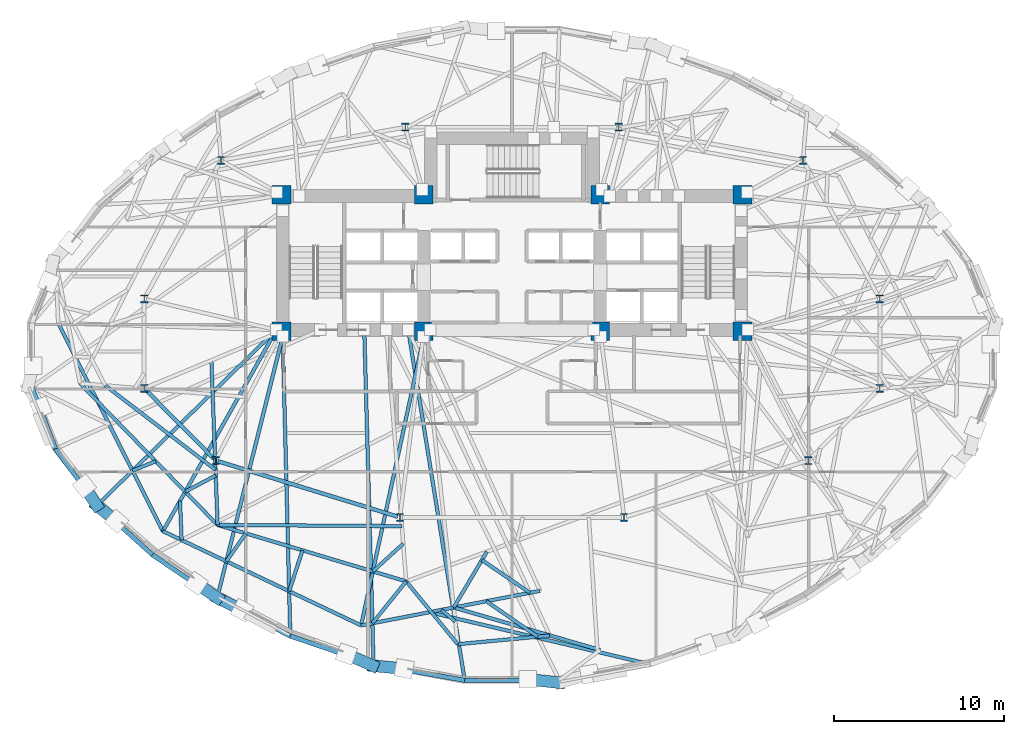
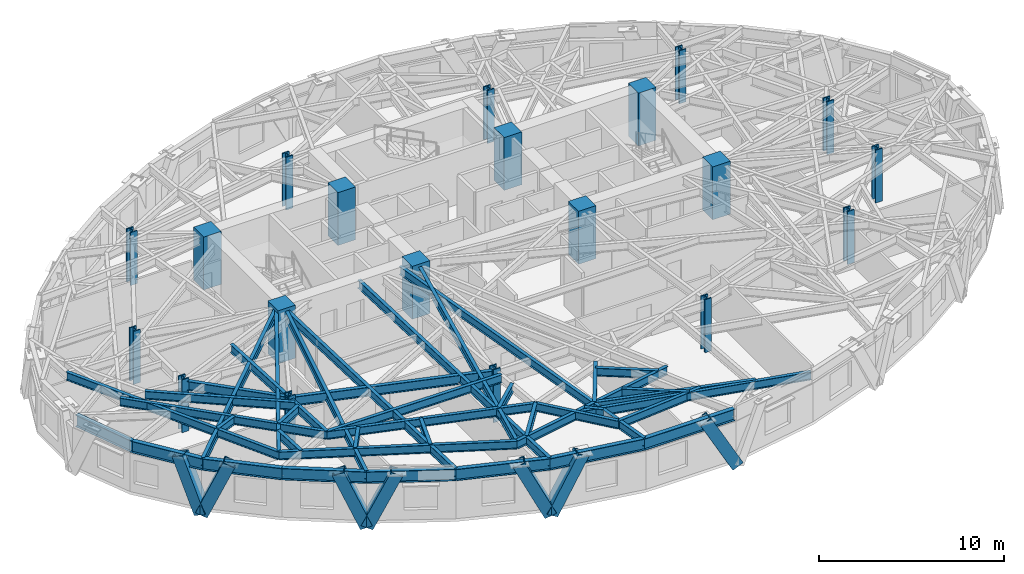
# One storey, part 1 of 15: 40 beams, 20 columns, 7 members.
"""IFC4 building model written with IfcOpenShell, lengths in metres."""

import ifcopenshell
import ifcopenshell.guid

model = None  # the IFC model being written
_history = None  # IfcOwnerHistory: only IFC2X3 demands one
_inside = {}  # id of a spatial element -> (the spatial element, [elements in it])
_under = {}  # id of a project, library or spatial element -> (it, [spatial elements below it])
_declared = {}  # id of a project -> (the project, [libraries it declares])
_typed = {}  # id of a type object -> (the type object, [elements of that type])
_made_of = {}  # id of a material, layer set ... -> (it, [elements and type objects made of it])


def new_model(schema):
    """Start an empty IFC model of exactly this schema.

    Asked for "IFC4X3", IfcOpenShell would pick the latest addendum, in which some entities
    have other attributes; the version numbers below select the first issue.
    IFC2X3 requires an IfcOwnerHistory on every rooted entity: one is made here for all.
    """
    global model, _history
    if schema == "IFC4X3":
        model = ifcopenshell.file(schema_version=(4, 3, 0, 0))
    else:
        model = ifcopenshell.file(schema=schema)
    _inside.clear()
    _under.clear()
    _declared.clear()
    _typed.clear()
    _made_of.clear()
    _history = None
    if model.schema == "IFC2X3":
        org = make("IfcOrganization", Name="unknown")
        user = make(
            "IfcPersonAndOrganization",
            ThePerson=make("IfcPerson", FamilyName="unknown"),
            TheOrganization=org,
        )
        app = make(
            "IfcApplication",
            ApplicationDeveloper=org,
            Version="unknown",
            ApplicationFullName="unknown",
            ApplicationIdentifier="unknown",
        )
        _history = make(
            "IfcOwnerHistory",
            OwningUser=user,
            OwningApplication=app,
            ChangeAction="ADDED",
            CreationDate=0,
        )
    return model


def make(cls, **values):
    """One entity of the class cls with the attributes given. An attribute that is None is left unset."""
    return model.create_entity(
        cls, **{name: value for name, value in values.items() if value is not None}
    )


def rooted(cls, **values):
    """An entity with a GlobalId (a new one), such as an element, a storey or a relation."""
    return make(cls, GlobalId=ifcopenshell.guid.new(), OwnerHistory=_history, **values)


def si_unit(unit_type, name, prefix=None):
    """IfcSIUnit, for example si_unit("LENGTHUNIT", "METRE", prefix="MILLI")."""
    return make("IfcSIUnit", UnitType=unit_type, Prefix=prefix, Name=name)


def assignment(units):
    """IfcUnitAssignment: the units of a project."""
    return None if units is None else make("IfcUnitAssignment", Units=units)


def point(xyz):
    """IfcCartesianPoint."""
    return None if xyz is None else make("IfcCartesianPoint", Coordinates=xyz)


def direction(xyz):
    """IfcDirection."""
    return None if xyz is None else make("IfcDirection", DirectionRatios=xyz)


def frame(location, z_axis=None, x_axis=None):
    """IfcAxis2Placement3D, a coordinate frame: its origin and axes. An axis left out is left unset."""
    return make(
        "IfcAxis2Placement3D",
        Location=point(location),
        Axis=direction(z_axis),
        RefDirection=direction(x_axis),
    )


def frame_2d(location, x_axis=None):
    """IfcAxis2Placement2D, a coordinate frame in the plane: its origin and x axis."""
    return make(
        "IfcAxis2Placement2D", Location=point(location), RefDirection=direction(x_axis)
    )


def origin():
    """The frame at (0, 0, 0) with its axes left unset."""
    return frame((0.0, 0.0, 0.0))


def origin_2d():
    """The frame at (0, 0) in the plane with its x axis left unset."""
    return frame_2d((0.0, 0.0))


def place(relative_to, where):
    """IfcLocalPlacement: puts the frame where relative to a parent placement (None: the world)."""
    return make(
        "IfcLocalPlacement", PlacementRelTo=relative_to, RelativePlacement=where
    )


def context(
    kind, dimensions, precision=None, world=None, true_north=None, identifier=None
):
    """IfcGeometricRepresentationContext, for example the 3D "Model" context."""
    return make(
        "IfcGeometricRepresentationContext",
        ContextIdentifier=identifier,
        ContextType=kind,
        CoordinateSpaceDimension=dimensions,
        Precision=precision,
        WorldCoordinateSystem=world,
        TrueNorth=true_north,
    )


def subcontext(parent, identifier, kind, view, scale=None):
    """IfcGeometricRepresentationSubContext, for example "Body" below "Model"."""
    return make(
        "IfcGeometricRepresentationSubContext",
        ContextIdentifier=identifier,
        ContextType=kind,
        ParentContext=parent,
        TargetScale=scale,
        TargetView=view,
    )


def project(units=None, contexts=None):
    """IfcProject with its units and contexts."""
    return rooted(
        "IfcProject",
        Name="project",
        RepresentationContexts=contexts,
        UnitsInContext=assignment(units),
    )


def spatial(cls, under=None, at=None, **own):
    """A site, building, storey or space (cls), placed at a placement, below another one or the project."""
    s = rooted(cls, ObjectPlacement=at, **own)
    if under is not None:
        _under.setdefault(under.id(), (under, []))[1].append(s)
    return s


def profile(cls, at=None, kind="AREA", **sizes):
    """A parametric profile (cls). Its sizes go by their IFC names, for example OverallWidth=200.0."""
    return make(cls, ProfileType=kind, Position=at, **sizes)


def rectangle(**sizes):
    """IfcRectangleProfileDef."""
    return profile("IfcRectangleProfileDef", **sizes)


def hollow_rectangle(**sizes):
    """IfcRectangleHollowProfileDef."""
    return profile("IfcRectangleHollowProfileDef", **sizes)


def i_section(**sizes):
    """IfcIShapeProfileDef."""
    return profile("IfcIShapeProfileDef", **sizes)


def extrude(swept, where, along, depth):
    """IfcExtrudedAreaSolid: the profile swept, set in the frame where, extruded along a direction by depth."""
    return make(
        "IfcExtrudedAreaSolid",
        SweptArea=swept,
        Position=where,
        ExtrudedDirection=direction(along),
        Depth=depth,
    )


def shape(context_of_items, identifier, shape_type, items):
    """IfcShapeRepresentation: the items that make up one representation, for example the "Body"."""
    return make(
        "IfcShapeRepresentation",
        ContextOfItems=context_of_items,
        RepresentationIdentifier=identifier,
        RepresentationType=shape_type,
        Items=items,
    )


def material(Name=None, Category=None):
    """IfcMaterial."""
    return make("IfcMaterial", Name=Name, Category=Category)


def material_profile(
    of_material, cross_section, Name=None, Category=None, Priority=None
):
    """IfcMaterialProfile: a cross section and its material."""
    return make(
        "IfcMaterialProfile",
        Name=Name,
        Material=of_material,
        Profile=cross_section,
        Priority=Priority,
        Category=Category,
    )


def profile_set(profiles, Name=None, composite=None):
    """IfcMaterialProfileSet."""
    return make(
        "IfcMaterialProfileSet",
        Name=Name,
        MaterialProfiles=profiles,
        CompositeProfile=composite,
    )


def made_of(thing, what):
    """Note that an element or type object is made of a material, layer set ...; save() writes the relation."""
    if what is not None:
        _made_of.setdefault(what.id(), (what, []))[1].append(thing)
    return thing


def type_object(cls, material=None, **own):
    """A type object (cls), such as IfcWallType, which elements share."""
    return made_of(rooted(cls, **own), material)


def element(
    cls,
    number,
    at=None,
    inside=None,
    cuts=None,
    type_object=None,
    material=None,
    context=None,
    identifier="Body",
    shape_type=None,
    held_by="IfcProductDefinitionShape",
    body=None,
    shapes=None,
    **own,
):
    """One element of the class cls, such as IfcWall. Its Tag is "e" and its number.

    at: its placement. inside: the storey or other place that contains it. cuts: it is an
    opening in that element (IfcRelVoidsElement). A single representation is given by context,
    identifier, shape_type and body (its items); several are given by shapes. held_by: the class
    of the entity that holds the representations. save() writes the other relations.
    """
    e = rooted(cls, Tag="e%d" % number, ObjectPlacement=at, **own)
    if body is not None:
        shapes = [shape(context, identifier, shape_type, body)]
    if shapes is not None:
        e.Representation = make(held_by, Representations=shapes)
    if inside is not None:
        _inside.setdefault(inside.id(), (inside, []))[1].append(e)
    if cuts is not None:
        rooted(
            "IfcRelVoidsElement", RelatingBuildingElement=cuts, RelatedOpeningElement=e
        )
    if type_object is not None:
        _typed.setdefault(type_object.id(), (type_object, []))[1].append(e)
    return made_of(e, material)


def aggregate(whole, parts):
    """IfcRelAggregates: a whole, such as a stair, and the parts it consists of."""
    return rooted("IfcRelAggregates", RelatingObject=whole, RelatedObjects=parts)


def save(model, path):
    """Write the relations noted so far, then the file.

    IfcRelAggregates (storeys below a building ...), IfcRelContainedInSpatialStructure (elements
    in a storey), IfcRelDefinesByType, IfcRelAssociatesMaterial and IfcRelDeclares: one each for
    every whole, place, type object, material and project.
    """
    for whole, parts in _under.values():
        aggregate(whole, parts)
    for where, things in _inside.values():
        rooted(
            "IfcRelContainedInSpatialStructure",
            RelatedElements=things,
            RelatingStructure=where,
        )
    for kind, things in _typed.values():
        rooted("IfcRelDefinesByType", RelatedObjects=things, RelatingType=kind)
    for what, things in _made_of.values():
        rooted("IfcRelAssociatesMaterial", RelatedObjects=things, RelatingMaterial=what)
    for by, libraries in _declared.values():
        rooted("IfcRelDeclares", RelatingContext=by, RelatedDefinitions=libraries)
    model.write(path)


model = new_model("IFC4")

# Units and contexts
model_context = context("Model", 3, precision=1e-05, world=origin(), true_north=direction((0.0, 1.0)))
body_context = subcontext(model_context, "Body", "Model", "MODEL_VIEW")
ifc_project = project(units=[si_unit("LENGTHUNIT", "METRE"), si_unit("AREAUNIT", "SQUARE_METRE"), si_unit("VOLUMEUNIT", "CUBIC_METRE"), si_unit("PLANEANGLEUNIT", "RADIAN"), si_unit("MASSUNIT", "GRAM", prefix="KILO")], contexts=[model_context])

# Site, building, storey
site_placement = place(None, origin())
site = spatial("IfcSite", under=ifc_project, at=site_placement, CompositionType="ELEMENT")
building_placement = place(site_placement, origin())
building = spatial("IfcBuilding", under=site, at=building_placement, Name="Keldmark Tower", CompositionType="ELEMENT")
storey_placement = place(building_placement, frame((0.0, 0.0, 93.10009765625)))
storey = spatial("IfcBuildingStorey", under=building, at=storey_placement, Name="L24", CompositionType="ELEMENT", Elevation=93.10009765625)

# Columns
ifc_material_1 = material(Name="Concrete C70/85", Category="concrete")
ifc_material_profile_1 = material_profile(ifc_material_1, rectangle(XDim=1.10009765625, YDim=1.10009765625, at=origin_2d()), Name="RC1100X1100")
ifc_profile_set_1 = profile_set([ifc_material_profile_1], Name="Concrete C70/85")
column_type_1 = type_object("IfcColumnType", Name="Core Boundary Column RC1100", PredefinedType="COLUMN", material=ifc_profile_set_1)
for number, where, z_axis, x_axis, name in (
    (1, (-13.60009765625, 1.39990234375, 0.0), (0.0, 0.0, 1.0), (1.0, 0.0, 0.0), "L24 Core Boundary Column CC-W1"),
    (2, (-13.60009765625, 9.449951171875, 0.0), (0.0, 0.0, 1.0), (1.0, 0.0, 0.0), "L24 Core Boundary Column CC-W2"),
    (3, (-5.199951171875, 1.39990234375, 0.0), (0.0, 0.0, 1.0), (1.0, 0.0, 0.0), "L24 Core Boundary Column CC-W3"),
    (4, (-5.199951171875, 9.449951171875, 0.0), (0.0, 0.0, 1.0), (1.0, 0.0, 0.0), "L24 Core Boundary Column CC-W4"),
    (5, (5.199951171875, 1.39990234375, 0.0), (0.0, 0.0, 1.0), (1.0, 0.0, 0.0), "L24 Core Boundary Column CC-E1"),
    (6, (5.199951171875, 9.449951171875, 0.0), (0.0, 0.0, 1.0), (1.0, 0.0, 0.0), "L24 Core Boundary Column CC-E2"),
    (7, (13.60009765625, 1.39990234375, 0.0), (0.0, 0.0, 1.0), (1.0, 0.0, 0.0), "L24 Core Boundary Column CC-E3"),
    (8, (13.60009765625, 9.449951171875, 0.0), (0.0, 0.0, 1.0), (1.0, 0.0, 0.0), "L24 Core Boundary Column CC-E4"),
):
    element("IfcColumn", number, at=place(storey_placement, frame(where, z_axis=z_axis, x_axis=x_axis)), inside=storey, type_object=column_type_1, Name=name, PredefinedType="COLUMN", context=body_context, shape_type="SweptSolid", body=[
        extrude(rectangle(XDim=1.10009765625, YDim=1.10009765625, at=origin_2d()), origin(), (0.0, 0.0, 1.0), 3.5),
    ])
ifc_material_2 = material(Name="Steel ASTM A992 Grade 50", Category="steel")
ifc_material_profile_2 = material_profile(ifc_material_2, i_section(OverallWidth=0.424072265625, OverallDepth=0.47412109375, WebThickness=0.047607421875, FlangeThickness=0.0771484375, at=origin_2d()), Name="W14X426")
ifc_profile_set_2 = profile_set([ifc_material_profile_2], Name="Steel ASTM A992 Grade 50")
column_type_2 = type_object("IfcColumnType", Name="Tower Gravity Column W14X426", PredefinedType="COLUMN", material=ifc_profile_set_2)
for number, where, z_axis, x_axis, name in (
    (9, (21.697021484375, 3.309814453125, 0.0), (0.0, 0.0, 1.0), (1.0, 0.0, 0.0), "L24 Tower Gravity Column TC-E1"),
    (10, (17.1669921875, 11.478271484375, 0.0), (0.0, 0.0, 1.0), (1.0, 0.0, 0.0), "L24 Tower Gravity Column TC-E4"),
    (11, (6.298828125, 13.4326171875, 0.0), (0.0, 0.0, 1.0), (1.0, 0.0, 0.0), "L24 Tower Gravity Column TC-N2"),
    (12, (-6.298828125, 13.4326171875, 0.0), (0.0, 0.0, 1.0), (1.0, 0.0, 0.0), "L24 Tower Gravity Column TC-N1"),
    (13, (-17.1669921875, 11.478271484375, 0.0), (0.0, 0.0, 1.0), (1.0, 0.0, 0.0), "L24 Tower Gravity Column TC-W4"),
    (14, (-21.697021484375, 3.309814453125, 0.0), (0.0, 0.0, 1.0), (1.0, 0.0, 0.0), "L24 Tower Gravity Column TC-W1"),
    (15, (-21.697021484375, -1.9658203125, 0.0), (0.0, 0.0, 1.0), (1.0, 0.0, 0.0), "L24 Tower Gravity Column TC-W5"),
    (16, (-17.477294921875, -6.2294921875, 0.0), (0.0, 0.0, 1.0), (1.0, 0.0, 0.0), "L24 Tower Gravity Column TC-W2"),
    (17, (-6.61279296875, -9.579345703125, 0.0), (0.0, 0.0, 1.0), (1.0, 0.0, 0.0), "L24 Tower Gravity Column TC-W3"),
    (18, (6.61279296875, -9.579345703125, 0.0), (0.0, 0.0, 1.0), (1.0, 0.0, 0.0), "L24 Tower Gravity Column TC-E3"),
    (19, (17.477294921875, -6.2294921875, 0.0), (0.0, 0.0, 1.0), (1.0, 0.0, 0.0), "L24 Tower Gravity Column TC-E2"),
    (20, (21.697021484375, -1.9658203125, 0.0), (0.0, 0.0, 1.0), (1.0, 0.0, 0.0), "L24 Tower Gravity Column TC-E5"),
):
    element("IfcColumn", number, at=place(storey_placement, frame(where, z_axis=z_axis, x_axis=x_axis)), inside=storey, type_object=column_type_2, Name=name, PredefinedType="COLUMN", context=body_context, shape_type="SweptSolid", body=[
        extrude(i_section(OverallWidth=0.424072265625, OverallDepth=0.47412109375, WebThickness=0.047607421875, FlangeThickness=0.0771484375, at=origin_2d()), origin(), (0.0, 0.0, 1.0), 3.5),
    ])

# Members
ifc_material_3 = material(Name="Steel ASTM A572 Grade 50", Category="steel")
ifc_material_profile_3 = material_profile(ifc_material_3, hollow_rectangle(XDim=0.699951171875, YDim=0.699951171875, WallThickness=0.054931640625, at=origin_2d()), Name="BOX700X700X55")
ifc_profile_set_3 = profile_set([ifc_material_profile_3], Name="Steel ASTM A572 Grade 50")
member_type = type_object("IfcMemberType", Name="Diagrid Zone 1 Brace BOX700X700X55", PredefinedType="BRACE", material=ifc_profile_set_3)
member_1_placement = place(storey_placement, frame((-24.491943359375, -8.877197265625, -0.27001953125), z_axis=(-0.197868083869, 0.3067218073, 0.931004808963), x_axis=(-0.840317805922, -0.542094073985, 0.0)))
element("IfcMember", 21, at=member_1_placement, inside=storey, type_object=member_type, Name="L24 Perimeter Diagrid Brace 09B", PredefinedType="BRACE", context=body_context, shape_type="SweptSolid", body=[
    extrude(hollow_rectangle(XDim=0.699951171875, YDim=0.699951171875, WallThickness=0.054931640625, at=origin_2d()), origin(), (0.0, 0.0, 1.0), 3.71630859375),
])
member_2_placement = place(storey_placement, frame((-24.49658203125, -8.866455078125, -0.27001953125), z_axis=(0.310842627044, -0.250679537939, 0.916807848173), x_axis=(0.62775245119, 0.778413039475, 0.0)))
element("IfcMember", 22, at=member_2_placement, inside=storey, type_object=member_type, Name="L24 Perimeter Diagrid Brace 10A", PredefinedType="BRACE", context=body_context, shape_type="SweptSolid", body=[
    extrude(hollow_rectangle(XDim=0.699951171875, YDim=0.699951171875, WallThickness=0.054931640625, at=origin_2d()), origin(), (0.0, 0.0, 1.0), 3.77392578125),
])
member_3_placement = place(storey_placement, frame((-17.358154296875, -14.33740234375, -0.27001953125), z_axis=(-0.333735181054, 0.228083567945, 0.914657703712), x_axis=(-0.56424310958, -0.825608692597, 0.0)))
element("IfcMember", 23, at=member_3_placement, inside=storey, type_object=member_type, Name="L24 Perimeter Diagrid Brace 10B", PredefinedType="BRACE", context=body_context, shape_type="SweptSolid", body=[
    extrude(hollow_rectangle(XDim=0.699951171875, YDim=0.699951171875, WallThickness=0.054931640625, at=origin_2d()), origin(), (0.0, 0.0, 1.0), 3.78271484375),
])
member_4_placement = place(storey_placement, frame((-17.366455078125, -14.3291015625, -0.27001953125), z_axis=(0.378444027139, -0.191937507602, 0.905505445317), x_axis=(0.452325802682, 0.891852772731, 0.0)))
element("IfcMember", 24, at=member_4_placement, inside=storey, type_object=member_type, Name="L24 Perimeter Diagrid Brace 11A", PredefinedType="BRACE", context=body_context, shape_type="SweptSolid", body=[
    extrude(hollow_rectangle(XDim=0.699951171875, YDim=0.699951171875, WallThickness=0.054931640625, at=origin_2d()), origin(), (0.0, 0.0, 1.0), 3.821044921875),
])
member_5_placement = place(storey_placement, frame((-8.20068359375, -18.33544921875, -0.27001953125), z_axis=(-0.407586520269, 0.179183905051, 0.895414069951), x_axis=(-0.402448502472, -0.915442626743, 0.0)))
element("IfcMember", 25, at=member_5_placement, inside=storey, type_object=member_type, Name="L24 Perimeter Diagrid Brace 11B", PredefinedType="BRACE", context=body_context, shape_type="SweptSolid", body=[
    extrude(hollow_rectangle(XDim=0.699951171875, YDim=0.699951171875, WallThickness=0.054931640625, at=origin_2d()), origin(), (0.0, 0.0, 1.0), 3.864013671875),
])
member_6_placement = place(storey_placement, frame((-8.211669921875, -18.3310546875, -0.27001953125), z_axis=(0.471880023703, -0.045044505225, 0.880511349035), x_axis=(0.095025576395, 0.99547483134, 0.0)))
element("IfcMember", 26, at=member_6_placement, inside=storey, type_object=member_type, Name="L24 Perimeter Diagrid Brace 12A", PredefinedType="BRACE", context=body_context, shape_type="SweptSolid", body=[
    extrude(hollow_rectangle(XDim=0.699951171875, YDim=0.699951171875, WallThickness=0.054931640625, at=origin_2d()), origin(), (0.0, 0.0, 1.0), 3.929443359375),
])
member_7_placement = place(storey_placement, frame((2.82373046875, -19.334228515625, -0.27001953125), z_axis=(-0.478454865077, 0.051154773551, 0.876620859453), x_axis=(-0.106310711926, -0.994332958586, 0.0)))
element("IfcMember", 27, at=member_7_placement, inside=storey, type_object=member_type, Name="L24 Perimeter Diagrid Brace 12B", PredefinedType="BRACE", context=body_context, shape_type="SweptSolid", body=[
    extrude(hollow_rectangle(XDim=0.699951171875, YDim=0.699951171875, WallThickness=0.054931640625, at=origin_2d()), origin(), (0.0, 0.0, 1.0), 3.947021484375),
])

# Beams
ifc_material_4 = material(Name="Steel ASTM A992 Grade 50", Category="steel")
ifc_material_profile_4 = material_profile(ifc_material_4, i_section(OverallWidth=0.22900390625, OverallDepth=0.612060546875, WebThickness=0.011962890625, FlangeThickness=0.01953125, at=origin_2d()), Name="W24X84")
ifc_profile_set_4 = profile_set([ifc_material_profile_4], Name="Steel ASTM A992 Grade 50")
beam_type_1 = type_object("IfcBeamType", Name="Primary Floor Girder W24X84", PredefinedType="BEAM", material=ifc_profile_set_4)
beam_1_placement = place(storey_placement, frame((-21.598388671875, -2.0654296875, 3.00390625), z_axis=(0.703425791323, -0.71076870788, 0.0), x_axis=(0.71076870788, 0.703425791323, 0.0)))
element("IfcBeam", 28, at=beam_1_placement, inside=storey, type_object=beam_type_1, Name="L24 Floor Ring Girder FG-R07", PredefinedType="BEAM", context=body_context, shape_type="SweptSolid", body=[
    extrude(i_section(OverallWidth=0.22900390625, OverallDepth=0.612060546875, WebThickness=0.011962890625, FlangeThickness=0.01953125, at=origin_2d()), origin(), (0.0, 0.0, 1.0), 5.71875),
])
beam_2_placement = place(storey_placement, frame((-17.343505859375, -6.270751953125, 3.00390625), z_axis=(0.955607954968, -0.294641199432, 0.0), x_axis=(0.294641199432, 0.955607954968, 0.0)))
element("IfcBeam", 29, at=beam_2_placement, inside=storey, type_object=beam_type_1, Name="L24 Floor Ring Girder FG-R08", PredefinedType="BEAM", context=body_context, shape_type="SweptSolid", body=[
    extrude(i_section(OverallWidth=0.22900390625, OverallDepth=0.612060546875, WebThickness=0.011962890625, FlangeThickness=0.01953125, at=origin_2d()), origin(), (0.0, 0.0, 1.0), 11.089111328125),
])
ifc_material_5 = material(Name="Steel ASTM A992 Grade 50", Category="steel")
ifc_material_profile_5 = material_profile(ifc_material_5, i_section(OverallWidth=0.2099609375, OverallDepth=0.537109375, WebThickness=0.010986328125, FlangeThickness=0.017333984375, at=origin_2d()), Name="W21X68")
ifc_profile_set_5 = profile_set([ifc_material_profile_5], Name="Steel ASTM A992 Grade 50")
beam_type_2 = type_object("IfcBeamType", Name="Radial Tie Girder W21X68", PredefinedType="BEAM", material=ifc_profile_set_5)
beam_3_placement = place(storey_placement, frame((-23.998291015625, -1.797607421875, 3.04150390625), z_axis=(0.794313017834, -0.607508707509, 0.0), x_axis=(0.607508707509, 0.794313017834, 0.0)))
element("IfcBeam", 30, at=beam_3_placement, inside=storey, type_object=beam_type_2, Name="L24 Framing Pin Header PH-005", PredefinedType="BEAM", context=body_context, shape_type="SweptSolid", body=[
    extrude(i_section(OverallWidth=0.2099609375, OverallDepth=0.537109375, WebThickness=0.010986328125, FlangeThickness=0.017333984375, at=origin_2d()), origin(), (0.0, 0.0, 1.0), 8.19580078125),
])
beam_4_placement = place(storey_placement, frame((-17.7314453125, -0.3173828125, 3.04150390625), z_axis=(0.037637056032, -0.999291475003, 0.0), x_axis=(0.999291475003, 0.037637056032, 0.0)))
element("IfcBeam", 31, at=beam_4_placement, inside=storey, type_object=beam_type_2, Name="L24 Sub-Ring Step Girder STP1-M08", PredefinedType="BEAM", context=body_context, shape_type="SweptSolid", body=[
    extrude(i_section(OverallWidth=0.2099609375, OverallDepth=0.537109375, WebThickness=0.010986328125, FlangeThickness=0.017333984375, at=origin_2d()), origin(), (0.0, 0.0, 1.0), 9.717041015625),
])
beam_5_placement = place(storey_placement, frame((-17.36572265625, -10.027587890625, 3.04150390625), z_axis=(0.999978631781, -0.006537276343, 0.0), x_axis=(0.006537276343, 0.999978631781, 0.0)))
element("IfcBeam", 32, at=beam_5_placement, inside=storey, type_object=beam_type_2, Name="L24 Framing Pin Header PH-006", PredefinedType="BEAM", context=body_context, shape_type="SweptSolid", body=[
    extrude(i_section(OverallWidth=0.2099609375, OverallDepth=0.537109375, WebThickness=0.010986328125, FlangeThickness=0.017333984375, at=origin_2d()), origin(), (0.0, 0.0, 1.0), 10.86767578125),
])
beam_6_placement = place(storey_placement, frame((-25.48388671875, -1.674560546875, 3.04150390625), z_axis=(0.696953272736, -0.717116542566, 0.0), x_axis=(0.717116542566, 0.696953272736, 0.0)))
element("IfcBeam", 33, at=beam_6_placement, inside=storey, type_object=beam_type_2, Name="L24 Perimeter Collector Ring Beam CRG1-M07", PredefinedType="BEAM", context=body_context, shape_type="SweptSolid", body=[
    extrude(i_section(OverallWidth=0.2099609375, OverallDepth=0.537109375, WebThickness=0.010986328125, FlangeThickness=0.017333984375, at=origin_2d()), origin(), (0.0, 0.0, 1.0), 11.648193359375),
])
beam_7_placement = place(storey_placement, frame((-17.36572265625, -10.027587890625, 3.04150390625), z_axis=(0.958004877536, -0.286751904296, 0.0), x_axis=(0.286751904296, 0.958004877536, 0.0)))
element("IfcBeam", 34, at=beam_7_placement, inside=storey, type_object=beam_type_2, Name="L24 Perimeter Collector Ring Beam CRG1-M08", PredefinedType="BEAM", context=body_context, shape_type="SweptSolid", body=[
    extrude(i_section(OverallWidth=0.2099609375, OverallDepth=0.537109375, WebThickness=0.010986328125, FlangeThickness=0.017333984375, at=origin_2d()), origin(), (0.0, 0.0, 1.0), 11.614013671875),
])
beam_8_placement = place(storey_placement, frame((-17.475341796875, -7.114501953125, 3.04150390625), z_axis=(-0.884140989814, -0.467220194481, 0.0), x_axis=(0.467220194481, -0.884140989814, 0.0)))
element("IfcBeam", 35, at=beam_8_placement, inside=storey, type_object=beam_type_2, Name="L24 Framing Pin Header PH-010", PredefinedType="BEAM", context=body_context, shape_type="SweptSolid", body=[
    extrude(i_section(OverallWidth=0.2099609375, OverallDepth=0.537109375, WebThickness=0.010986328125, FlangeThickness=0.017333984375, at=origin_2d()), origin(), (0.0, 0.0, 1.0), 2.03369140625),
])
beam_9_placement = place(storey_placement, frame((-13.89990234375, 1.47509765625, 3.04150390625), z_axis=(-0.490780903306, -0.871283022301, 0.0), x_axis=(0.871283022301, -0.490780903306, 0.0)))
element("IfcBeam", 36, at=beam_9_placement, inside=storey, type_object=beam_type_2, Name="L24 Sub-Ring Step Girder STP2-M08", PredefinedType="BEAM", context=body_context, shape_type="SweptSolid", body=[
    extrude(i_section(OverallWidth=0.2099609375, OverallDepth=0.537109375, WebThickness=0.010986328125, FlangeThickness=0.017333984375, at=origin_2d()), origin(), (0.0, 0.0, 1.0), 13.626220703125),
])
beam_10_placement = place(storey_placement, frame((-6.416259765625, -11.1328125, 3.04150390625), z_axis=(-0.738572625182, -0.674173922169, 0.0), x_axis=(0.674173922169, -0.738572625182, 0.0)))
element("IfcBeam", 37, at=beam_10_placement, inside=storey, type_object=beam_type_2, Name="L24 Framing Pin Header PH-011", PredefinedType="BEAM", context=body_context, shape_type="SweptSolid", body=[
    extrude(i_section(OverallWidth=0.2099609375, OverallDepth=0.537109375, WebThickness=0.010986328125, FlangeThickness=0.017333984375, at=origin_2d()), origin(), (0.0, 0.0, 1.0), 2.42626953125),
])
beam_11_placement = place(storey_placement, frame((-5.199951171875, 1.10009765625, 3.04150390625), z_axis=(-0.211980065546, -0.977273990144, 0.0), x_axis=(0.977273990144, -0.211980065546, 0.0)))
element("IfcBeam", 38, at=beam_11_placement, inside=storey, type_object=beam_type_2, Name="L24 Sub-Ring Step Girder STP2-M09", PredefinedType="BEAM", context=body_context, shape_type="SweptSolid", body=[
    extrude(i_section(OverallWidth=0.2099609375, OverallDepth=0.537109375, WebThickness=0.010986328125, FlangeThickness=0.017333984375, at=origin_2d()), origin(), (0.0, 0.0, 1.0), 17.45068359375),
])
beam_12_placement = place(storey_placement, frame((-26.766845703125, 1.876220703125, 3.04150390625), z_axis=(0.449699238991, -0.893180045932, 0.0), x_axis=(0.893180045932, 0.449699238991, 0.0)))
element("IfcBeam", 39, at=beam_12_placement, inside=storey, type_object=beam_type_2, Name="L24 Perimeter Collector Ring Beam CRG2-M07", PredefinedType="BEAM", context=body_context, shape_type="SweptSolid", body=[
    extrude(i_section(OverallWidth=0.2099609375, OverallDepth=0.537109375, WebThickness=0.010986328125, FlangeThickness=0.017333984375, at=origin_2d()), origin(), (0.0, 0.0, 1.0), 13.7412109375),
])
beam_13_placement = place(storey_placement, frame((-20.58740234375, -10.397216796875, 3.04150390625), z_axis=(0.903128488301, -0.429370392109, 0.0), x_axis=(0.429370392109, 0.903128488301, 0.0)))
element("IfcBeam", 40, at=beam_13_placement, inside=storey, type_object=beam_type_2, Name="L24 Perimeter Collector Ring Beam CRG2-M08", PredefinedType="BEAM", context=body_context, shape_type="SweptSolid", body=[
    extrude(i_section(OverallWidth=0.2099609375, OverallDepth=0.537109375, WebThickness=0.010986328125, FlangeThickness=0.017333984375, at=origin_2d()), origin(), (0.0, 0.0, 1.0), 12.94189453125),
])
beam_14_placement = place(storey_placement, frame((-8.899169921875, -15.9541015625, 3.04150390625), z_axis=(0.981827122493, 0.189777505352, 0.0), x_axis=(-0.189777505352, 0.981827122493, 0.0)))
element("IfcBeam", 41, at=beam_14_placement, inside=storey, type_object=beam_type_2, Name="L24 Perimeter Collector Ring Beam CRG2-M09", PredefinedType="BEAM", context=body_context, shape_type="SweptSolid", body=[
    extrude(i_section(OverallWidth=0.2099609375, OverallDepth=0.537109375, WebThickness=0.010986328125, FlangeThickness=0.017333984375, at=origin_2d()), origin(), (0.0, 0.0, 1.0), 10.7470703125),
])
beam_15_placement = place(storey_placement, frame((-21.018798828125, -6.268798828125, 3.04150390625), z_axis=(-0.925259453616, -0.379334869863, 0.0), x_axis=(0.379334869863, -0.925259453616, 0.0)))
element("IfcBeam", 42, at=beam_15_placement, inside=storey, type_object=beam_type_2, Name="L24 Framing Pin Header PH-029", PredefinedType="BEAM", context=body_context, shape_type="SweptSolid", body=[
    extrude(i_section(OverallWidth=0.2099609375, OverallDepth=0.537109375, WebThickness=0.010986328125, FlangeThickness=0.017333984375, at=origin_2d()), origin(), (0.0, 0.0, 1.0), 1.475830078125),
])
beam_16_placement = place(storey_placement, frame((-13.89990234375, 1.47509765625, 3.04150390625), z_axis=(-0.714671752335, -0.699459996294, 0.0), x_axis=(0.699459996294, -0.714671752335, 0.0)))
element("IfcBeam", 43, at=beam_16_placement, inside=storey, type_object=beam_type_2, Name="L24 Perimeter Radial Tie Girder RT-19", PredefinedType="BEAM", context=body_context, shape_type="SweptSolid", body=[
    extrude(i_section(OverallWidth=0.2099609375, OverallDepth=0.537109375, WebThickness=0.010986328125, FlangeThickness=0.017333984375, at=origin_2d()), origin(), (0.0, 0.0, 1.0), 14.781494140625),
])
beam_17_placement = place(storey_placement, frame((-19.584228515625, -8.616455078125, 3.04150390625), z_axis=(0.042136962364, -0.999111843791, 0.0), x_axis=(0.999111843791, 0.042136962364, 0.0)))
element("IfcBeam", 44, at=beam_17_placement, inside=storey, type_object=beam_type_2, Name="L24 Framing Pin Header PH-030", PredefinedType="BEAM", context=body_context, shape_type="SweptSolid", body=[
    extrude(i_section(OverallWidth=0.2099609375, OverallDepth=0.537109375, WebThickness=0.010986328125, FlangeThickness=0.017333984375, at=origin_2d()), origin(), (0.0, 0.0, 1.0), 2.305908203125),
])
beam_18_placement = place(storey_placement, frame((-15.69677734375, -10.527099609375, 3.04150390625), z_axis=(-0.573307480649, -0.819340303312, 0.0), x_axis=(0.819340303312, -0.573307480649, 0.0)))
element("IfcBeam", 45, at=beam_18_placement, inside=storey, type_object=beam_type_2, Name="L24 Framing Pin Header PH-031", PredefinedType="BEAM", context=body_context, shape_type="SweptSolid", body=[
    extrude(i_section(OverallWidth=0.2099609375, OverallDepth=0.537109375, WebThickness=0.010986328125, FlangeThickness=0.017333984375, at=origin_2d()), origin(), (0.0, 0.0, 1.0), 2.010498046875),
])
beam_19_placement = place(storey_placement, frame((-13.52490234375, 1.10009765625, 3.04150390625), z_axis=(-0.242935383954, -0.970042472896, 0.0), x_axis=(0.970042472896, -0.242935383954, 0.0)))
element("IfcBeam", 46, at=beam_19_placement, inside=storey, type_object=beam_type_2, Name="L24 Perimeter Radial Tie Girder RT-21", PredefinedType="BEAM", context=body_context, shape_type="SweptSolid", body=[
    extrude(i_section(OverallWidth=0.2099609375, OverallDepth=0.537109375, WebThickness=0.010986328125, FlangeThickness=0.017333984375, at=origin_2d()), origin(), (0.0, 0.0, 1.0), 15.94970703125),
])
beam_20_placement = place(storey_placement, frame((-12.35888671875, -11.526123046875, 3.04150390625), z_axis=(-0.309486802147, -0.950903738186, 0.0), x_axis=(0.950903738186, -0.309486802147, 0.0)))
element("IfcBeam", 47, at=beam_20_placement, inside=storey, type_object=beam_type_2, Name="L24 Framing Pin Header PH-032", PredefinedType="BEAM", context=body_context, shape_type="SweptSolid", body=[
    extrude(i_section(OverallWidth=0.2099609375, OverallDepth=0.537109375, WebThickness=0.010986328125, FlangeThickness=0.017333984375, at=origin_2d()), origin(), (0.0, 0.0, 1.0), 2.53466796875),
])
beam_21_placement = place(storey_placement, frame((-13.52490234375, 1.10009765625, 3.04150390625), z_axis=(0.025367708707, -0.999678187896, 0.0), x_axis=(0.999678187896, 0.025367708707, 0.0)))
element("IfcBeam", 48, at=beam_21_placement, inside=storey, type_object=beam_type_2, Name="L24 Perimeter Radial Tie Girder RT-22", PredefinedType="BEAM", context=body_context, shape_type="SweptSolid", body=[
    extrude(i_section(OverallWidth=0.2099609375, OverallDepth=0.537109375, WebThickness=0.010986328125, FlangeThickness=0.017333984375, at=origin_2d()), origin(), (0.0, 0.0, 1.0), 17.68896484375),
])
beam_22_placement = place(storey_placement, frame((-6.239501953125, -13.35791015625, 3.04150390625), z_axis=(-0.628795387713, -0.777570807316, 0.0), x_axis=(0.777570807316, -0.628795387713, 0.0)))
element("IfcBeam", 49, at=beam_22_placement, inside=storey, type_object=beam_type_2, Name="L24 Framing Pin Header PH-033", PredefinedType="BEAM", context=body_context, shape_type="SweptSolid", body=[
    extrude(i_section(OverallWidth=0.2099609375, OverallDepth=0.537109375, WebThickness=0.010986328125, FlangeThickness=0.017333984375, at=origin_2d()), origin(), (0.0, 0.0, 1.0), 3.173583984375),
])
beam_23_placement = place(storey_placement, frame((-8.71435546875, 1.47509765625, 3.04150390625), z_axis=(0.027686374052, -0.999616658871, 0.0), x_axis=(0.999616658871, 0.027686374052, 0.0)))
element("IfcBeam", 50, at=beam_23_placement, inside=storey, type_object=beam_type_2, Name="L24 Perimeter Radial Tie Girder RT-23", PredefinedType="BEAM", context=body_context, shape_type="SweptSolid", body=[
    extrude(i_section(OverallWidth=0.2099609375, OverallDepth=0.537109375, WebThickness=0.010986328125, FlangeThickness=0.017333984375, at=origin_2d()), origin(), (0.0, 0.0, 1.0), 19.73486328125),
])
beam_24_placement = place(storey_placement, frame((-1.48095703125, -11.605224609375, 3.04150390625), z_axis=(-0.510930332575, -0.859622123526, 0.0), x_axis=(0.859622123526, -0.510930332575, 0.0)))
element("IfcBeam", 51, at=beam_24_placement, inside=storey, type_object=beam_type_2, Name="L24 Framing Pin Header PH-034", PredefinedType="BEAM", context=body_context, shape_type="SweptSolid", body=[
    extrude(i_section(OverallWidth=0.2099609375, OverallDepth=0.537109375, WebThickness=0.010986328125, FlangeThickness=0.017333984375, at=origin_2d()), origin(), (0.0, 0.0, 1.0), 3.831298828125),
])
beam_25_placement = place(storey_placement, frame((-6.239501953125, -13.35791015625, 3.04150390625), z_axis=(0.634297091688, -0.773089386472, 0.0), x_axis=(0.773089386472, 0.634297091688, 0.0)))
element("IfcBeam", 52, at=beam_25_placement, inside=storey, type_object=beam_type_2, Name="L24 Local Collector Chord RT-24C", PredefinedType="BEAM", context=body_context, shape_type="SweptSolid", body=[
    extrude(i_section(OverallWidth=0.2099609375, OverallDepth=0.537109375, WebThickness=0.010986328125, FlangeThickness=0.017333984375, at=origin_2d()), origin(), (0.0, 0.0, 1.0), 4.79150390625),
])
beam_26_placement = place(storey_placement, frame((-4.15087890625, -15.036376953125, 3.04150390625), z_axis=(0.757743509822, -0.65255250618, 0.0), x_axis=(0.65255250618, 0.757743509822, 0.0)))
element("IfcBeam", 53, at=beam_26_placement, inside=storey, type_object=beam_type_2, Name="L24 Framing Pin Header PH-035", PredefinedType="BEAM", context=body_context, shape_type="SweptSolid", body=[
    extrude(i_section(OverallWidth=0.2099609375, OverallDepth=0.537109375, WebThickness=0.010986328125, FlangeThickness=0.017333984375, at=origin_2d()), origin(), (0.0, 0.0, 1.0), 1.060546875),
])
beam_27_placement = place(storey_placement, frame((-6.121337890625, 1.47509765625, 3.04150390625), z_axis=(0.159201639001, -0.987246087933, 0.0), x_axis=(0.987246087933, 0.159201639001, 0.0)))
element("IfcBeam", 54, at=beam_27_placement, inside=storey, type_object=beam_type_2, Name="L24 Perimeter Radial Tie Girder RT-24", PredefinedType="BEAM", context=body_context, shape_type="SweptSolid", body=[
    extrude(i_section(OverallWidth=0.2099609375, OverallDepth=0.537109375, WebThickness=0.010986328125, FlangeThickness=0.017333984375, at=origin_2d()), origin(), (0.0, 0.0, 1.0), 20.934326171875),
])
beam_28_placement = place(storey_placement, frame((-1.774658203125, -12.099365234375, 3.04150390625), z_axis=(0.825812319524, -0.56394504424, 0.0), x_axis=(0.56394504424, 0.825812319524, 0.0)))
element("IfcBeam", 55, at=beam_28_placement, inside=storey, type_object=beam_type_2, Name="L24 Framing Pin Header PH-036", PredefinedType="BEAM", context=body_context, shape_type="SweptSolid", body=[
    extrude(i_section(OverallWidth=0.2099609375, OverallDepth=0.537109375, WebThickness=0.010986328125, FlangeThickness=0.017333984375, at=origin_2d()), origin(), (0.0, 0.0, 1.0), 3.42431640625),
])
beam_29_placement = place(storey_placement, frame((-3.2001953125, -17.062255859375, 3.04150390625), z_axis=(0.995624323571, 0.09344627501, 0.0), x_axis=(-0.09344627501, 0.995624323571, 0.0)))
element("IfcBeam", 56, at=beam_29_placement, inside=storey, type_object=beam_type_2, Name="L24 Local Collector Chord RT-25C", PredefinedType="BEAM", context=body_context, shape_type="SweptSolid", body=[
    extrude(i_section(OverallWidth=0.2099609375, OverallDepth=0.537109375, WebThickness=0.010986328125, FlangeThickness=0.017333984375, at=origin_2d()), origin(), (0.0, 0.0, 1.0), 5.44482421875),
])
beam_30_placement = place(storey_placement, frame((-1.512939453125, -14.526611328125, 3.04150390625), z_axis=(0.822905017339, -0.568178961629, 0.0), x_axis=(0.568178961629, 0.822905017339, 0.0)))
element("IfcBeam", 57, at=beam_30_placement, inside=storey, type_object=beam_type_2, Name="L24 Framing Pin Header PH-037", PredefinedType="BEAM", context=body_context, shape_type="SweptSolid", body=[
    extrude(i_section(OverallWidth=0.2099609375, OverallDepth=0.537109375, WebThickness=0.010986328125, FlangeThickness=0.017333984375, at=origin_2d()), origin(), (0.0, 0.0, 1.0), 3.683349609375),
])
beam_31_placement = place(storey_placement, frame((-3.4384765625, -14.898681640625, 3.04150390625), z_axis=(0.960410245936, -0.278589589722, 0.0), x_axis=(0.278589589722, 0.960410245936, 0.0)))
element("IfcBeam", 58, at=beam_31_placement, inside=storey, type_object=beam_type_2, Name="L24 Intermediate Radial Step Girder RT-26M", PredefinedType="BEAM", context=body_context, shape_type="SweptSolid", body=[
    extrude(i_section(OverallWidth=0.2099609375, OverallDepth=0.537109375, WebThickness=0.010986328125, FlangeThickness=0.017333984375, at=origin_2d()), origin(), (0.0, 0.0, 1.0), 8.98876953125),
])
beam_32_placement = place(storey_placement, frame((-4.719970703125, -15.2099609375, 3.04150390625), z_axis=(0.973252256351, -0.229739081369, 0.0), x_axis=(0.229739081369, 0.973252256351, 0.0)))
element("IfcBeam", 59, at=beam_32_placement, inside=storey, type_object=beam_type_2, Name="L24 Perimeter Radial Tie Girder RT-26", PredefinedType="BEAM", context=body_context, shape_type="SweptSolid", body=[
    extrude(i_section(OverallWidth=0.2099609375, OverallDepth=0.537109375, WebThickness=0.010986328125, FlangeThickness=0.017333984375, at=origin_2d()), origin(), (0.0, 0.0, 1.0), 13.2421875),
])
ifc_material_6 = material(Name="Steel ASTM A992 Grade 50", Category="steel")
ifc_material_profile_6 = material_profile(ifc_material_6, i_section(OverallWidth=0.26806640625, OverallDepth=0.77001953125, WebThickness=0.015625, FlangeThickness=0.025390625, at=origin_2d()), Name="W30X132")
ifc_profile_set_6 = profile_set([ifc_material_profile_6], Name="Steel ASTM A992 Grade 50")
beam_type_3 = type_object("IfcBeamType", Name="Spandrel Ring Beam W30X132", PredefinedType="SPANDREL", material=ifc_profile_set_6)
beam_33_placement = place(storey_placement, frame((-28.312744140625, -1.890380859375, 2.9248046875), z_axis=(0.35547477521, -0.934685874607, 0.0), x_axis=(0.934685874607, 0.35547477521, 0.0)))
element("IfcBeam", 60, at=beam_33_placement, inside=storey, type_object=beam_type_3, Name="L24 Perimeter Spandrel Ring Beam SRB-17", PredefinedType="SPANDREL", context=body_context, shape_type="SweptSolid", body=[
    extrude(i_section(OverallWidth=0.26806640625, OverallDepth=0.77001953125, WebThickness=0.015625, FlangeThickness=0.025390625, at=origin_2d()), origin(), (0.0, 0.0, 1.0), 3.901123046875),
])
beam_34_placement = place(storey_placement, frame((-26.926025390625, -5.53662109375, 2.9248046875), z_axis=(0.594825474023, -0.803854872133, 0.0), x_axis=(0.803854872133, 0.594825474023, 0.0)))
element("IfcBeam", 61, at=beam_34_placement, inside=storey, type_object=beam_type_3, Name="L24 Perimeter Spandrel Ring Beam SRB-18", PredefinedType="SPANDREL", context=body_context, shape_type="SweptSolid", body=[
    extrude(i_section(OverallWidth=0.26806640625, OverallDepth=0.77001953125, WebThickness=0.015625, FlangeThickness=0.025390625, at=origin_2d()), origin(), (0.0, 0.0, 1.0), 4.139404296875),
])
beam_35_placement = place(storey_placement, frame((-24.4638671875, -8.864013671875, 2.9248046875), z_axis=(0.743897322515, -0.668293927516, 0.0), x_axis=(0.668293927516, 0.743897322515, 0.0)))
element("IfcBeam", 62, at=beam_35_placement, inside=storey, type_object=beam_type_3, Name="L24 Perimeter Spandrel Ring Beam SRB-19", PredefinedType="SPANDREL", context=body_context, shape_type="SweptSolid", body=[
    extrude(i_section(OverallWidth=0.26806640625, OverallDepth=0.77001953125, WebThickness=0.015625, FlangeThickness=0.025390625, at=origin_2d()), origin(), (0.0, 0.0, 1.0), 4.38525390625),
])
beam_36_placement = place(storey_placement, frame((-21.20166015625, -11.794677734375, 2.9248046875), z_axis=(0.827757035065, -0.561086705333, 0.0), x_axis=(0.561086705333, 0.827757035065, 0.0)))
element("IfcBeam", 63, at=beam_36_placement, inside=storey, type_object=beam_type_3, Name="L24 Perimeter Spandrel Ring Beam SRB-20", PredefinedType="SPANDREL", context=body_context, shape_type="SweptSolid", body=[
    extrude(i_section(OverallWidth=0.26806640625, OverallDepth=0.77001953125, WebThickness=0.015625, FlangeThickness=0.025390625, at=origin_2d()), origin(), (0.0, 0.0, 1.0), 4.593017578125),
])
beam_37_placement = place(storey_placement, frame((-17.399658203125, -14.371826171875, 2.9248046875), z_axis=(0.890297461787, -0.455379434687, 0.0), x_axis=(0.455379434687, 0.890297461787, 0.0)))
element("IfcBeam", 64, at=beam_37_placement, inside=storey, type_object=beam_type_3, Name="L24 Perimeter Spandrel Ring Beam SRB-21", PredefinedType="SPANDREL", context=body_context, shape_type="SweptSolid", body=[
    extrude(i_section(OverallWidth=0.26806640625, OverallDepth=0.77001953125, WebThickness=0.015625, FlangeThickness=0.025390625, at=origin_2d()), origin(), (0.0, 0.0, 1.0), 4.856201171875),
])
beam_38_placement = place(storey_placement, frame((-13.076171875, -16.583251953125, 2.9248046875), z_axis=(0.946763558794, -0.321929749697, 0.0), x_axis=(0.321929749697, 0.946763558794, 0.0)))
element("IfcBeam", 65, at=beam_38_placement, inside=storey, type_object=beam_type_3, Name="L24 Perimeter Spandrel Ring Beam SRB-22", PredefinedType="SPANDREL", context=body_context, shape_type="SweptSolid", body=[
    extrude(i_section(OverallWidth=0.26806640625, OverallDepth=0.77001953125, WebThickness=0.015625, FlangeThickness=0.025390625, at=origin_2d()), origin(), (0.0, 0.0, 1.0), 5.18408203125),
])
beam_39_placement = place(storey_placement, frame((-8.16796875, -18.252197265625, 2.9248046875), z_axis=(0.98507560131, -0.172122223157, 0.0), x_axis=(0.172122223157, 0.98507560131, 0.0)))
element("IfcBeam", 66, at=beam_39_placement, inside=storey, type_object=beam_type_3, Name="L24 Perimeter Spandrel Ring Beam SRB-23", PredefinedType="SPANDREL", context=body_context, shape_type="SweptSolid", body=[
    extrude(i_section(OverallWidth=0.26806640625, OverallDepth=0.77001953125, WebThickness=0.015625, FlangeThickness=0.025390625, at=origin_2d()), origin(), (0.0, 0.0, 1.0), 5.4609375),
])
beam_40_placement = place(storey_placement, frame((-2.78857421875, -19.192138671875, 2.9248046875), z_axis=(1.0, 0.0, 0.0), x_axis=(0.0, 1.0, 0.0)))
element("IfcBeam", 67, at=beam_40_placement, inside=storey, type_object=beam_type_3, Name="L24 Perimeter Spandrel Ring Beam SRB-24", PredefinedType="SPANDREL", context=body_context, shape_type="SweptSolid", body=[
    extrude(i_section(OverallWidth=0.26806640625, OverallDepth=0.77001953125, WebThickness=0.015625, FlangeThickness=0.025390625, at=origin_2d()), origin(), (0.0, 0.0, 1.0), 5.5771484375),
])

save(model, "model.ifc")
